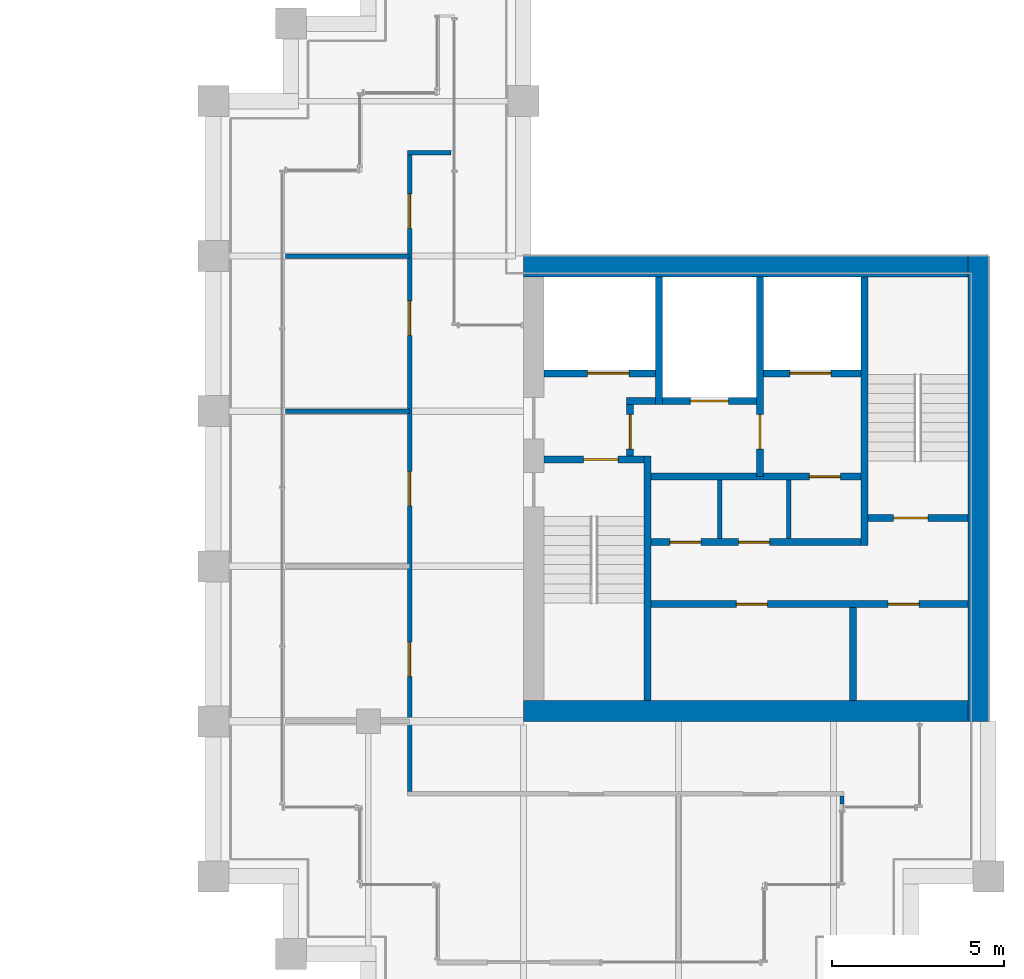
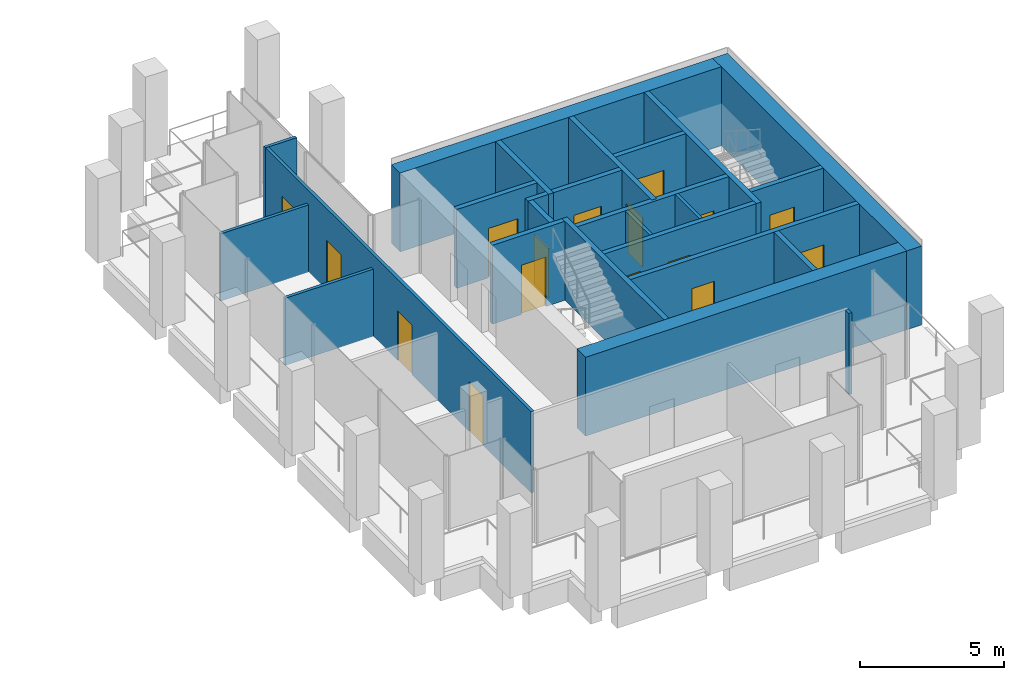
# One storey, part 38 of 40: 25 walls, 16 doors, 16 openings.
"""IFC4 building model written with IfcOpenShell, lengths in metres."""

from ifc_helpers import new_model, si_unit, direction, frame, frame_2d, origin, place, context, subcontext, project, spatial, rectangle, extrude, material, layer, layer_set, type_object, element, fill, save


model = new_model("IFC4")

# Units and contexts
model_context = context("Model", 3, precision=1e-05, world=origin(), true_north=direction((0.0, 1.0)))
body_context = subcontext(model_context, "Body", "Model", "MODEL_VIEW")
ifc_project = project(units=[si_unit("LENGTHUNIT", "METRE"), si_unit("AREAUNIT", "SQUARE_METRE"), si_unit("VOLUMEUNIT", "CUBIC_METRE"), si_unit("PLANEANGLEUNIT", "RADIAN"), si_unit("MASSUNIT", "GRAM", prefix="KILO")], contexts=[model_context])

# Site, building, storey
site_placement = place(None, origin())
site = spatial("IfcSite", under=ifc_project, at=site_placement, CompositionType="ELEMENT")
building_placement = place(site_placement, origin())
building = spatial("IfcBuilding", under=site, at=building_placement, Name="Altepetl Exchange Towers", CompositionType="ELEMENT")
storey_placement = place(building_placement, frame((0.0, 0.0, 183.39990234375)))
storey = spatial("IfcBuildingStorey", under=building, at=storey_placement, Name="L46", CompositionType="ELEMENT", Elevation=183.39990234375)

# Walls
ifc_material_1 = material(Name="Concrete C70/85", Category="concrete")
ifc_layer_1 = layer(ifc_material_1, 0.60009765625)
ifc_layer_set_1 = layer_set([ifc_layer_1], Name="Concrete C70/85")
wall_type_1 = type_object("IfcWallType", Name="Core wall 600 reinforced concrete", PredefinedType="SHEAR", material=ifc_layer_set_1)
wall_1_placement = place(storey_placement, frame((103.5, 36.300048828125, 0.0)))
element("IfcWall", 1, at=wall_1_placement, inside=storey, type_object=wall_type_1, Name="wall:B:L46:K-coreS", PredefinedType="SHEAR", context=body_context, shape_type="SweptSolid", body=[
    extrude(rectangle(XDim=12.89990234375, YDim=0.60009765625, at=frame_2d((6.449951171875, 0.0))), origin(), (0.0, 0.0, 1.0), 3.35009765625),
])
ifc_layer_2 = layer(ifc_material_1, 0.60009765625)
ifc_layer_set_2 = layer_set([ifc_layer_2], Name="Concrete C70/85")
wall_type_2 = type_object("IfcWallType", Name="Core wall 600 reinforced concrete external", PredefinedType="SHEAR", material=ifc_layer_set_2)
wall_2_placement = place(storey_placement, frame((116.699951171875, 36.0, 0.0), z_axis=(0.0, 0.0, 1.0), x_axis=(0.0, 1.0, 0.0)))
element("IfcWall", 2, at=wall_2_placement, inside=storey, type_object=wall_type_2, Name="wall:B:L46:K-coreE", PredefinedType="SHEAR", context=body_context, shape_type="SweptSolid", body=[
    extrude(rectangle(XDim=13.5, YDim=0.60009765625, at=frame_2d((6.75, 0.0))), origin(), (0.0, 0.0, 1.0), 3.35009765625),
])
wall_3_placement = place(storey_placement, frame((103.5, 49.199951171875, 0.0)))
element("IfcWall", 3, at=wall_3_placement, inside=storey, type_object=wall_type_2, Name="wall:B:L46:K-coreN", PredefinedType="SHEAR", context=body_context, shape_type="SweptSolid", body=[
    extrude(rectangle(XDim=12.89990234375, YDim=0.60009765625, at=frame_2d((6.449951171875, 0.0))), origin(), (0.0, 0.0, 1.0), 3.35009765625),
])
ifc_material_2 = material(Name="Concrete blockwork", Category="masonry")
ifc_layer_3 = layer(ifc_material_2, 0.199951171875)
ifc_layer_set_3 = layer_set([ifc_layer_3], Name="Concrete blockwork")
wall_type_3 = type_object("IfcWallType", Name="Lobby wall 200 blockwork", PredefinedType="PARTITIONING", material=ifc_layer_set_3)
wall_4_placement = place(storey_placement, frame((106.5, 45.300048828125, 0.0)))
element("IfcWall", 4, at=wall_4_placement, inside=storey, type_object=wall_type_3, Name="wall:B:L46:K-ffNw", PredefinedType="PARTITIONING", context=body_context, shape_type="SweptSolid", body=[
    extrude(rectangle(XDim=0.833251953125, YDim=0.199951171875, at=frame_2d((0.41650390625, 0.0))), origin(), (0.0, 0.0, 1.0), 3.35009765625),
])

# Wall, opening, door
wall_5_placement = place(storey_placement, frame((106.60009765625, 43.699951171875, 0.0), z_axis=(0.0, 0.0, 1.0), x_axis=(0.0, 1.0, 0.0)))
wall_5 = element("IfcWall", 5, at=wall_5_placement, inside=storey, type_object=wall_type_3, Name="wall:B:L46:K-ffW", PredefinedType="PARTITIONING", context=body_context, shape_type="SweptSolid", body=[
    extrude(rectangle(XDim=1.5, YDim=0.199951171875, at=frame_2d((0.75, 0.0))), origin(), (0.0, 0.0, 1.0), 3.35009765625),
])
opening_1_placement = place(wall_5_placement, frame((0.199951171875, 0.0, 0.0)))
opening_1 = element("IfcOpeningElement", 6, at=opening_1_placement, cuts=wall_5, Name="Opening L46.B65", PredefinedType="OPENING", context=body_context, shape_type="SweptSolid", body=[
    extrude(rectangle(XDim=1.0, YDim=2.10009765625, at=frame_2d((0.5, 1.050048828125))), frame((0.0, 0.10986328125, 0.0), z_axis=(0.0, -1.0, 0.0), x_axis=(1.0, 0.0, 0.0)), (0.0, 0.0, 1.0), 0.219970703125),
])
ifc_material_3 = material(Name="Steel and timber fire door", Category="steel")
door_type_1 = type_object("IfcDoorType", Name="Fire door 1000 x 2100 stair and lobby", OperationType="SINGLE_SWING_LEFT", PredefinedType="DOOR", material=ifc_material_3)
door_1_placement = place(opening_1_placement, frame((1.0, 0.0, 0.0), x_axis=(-1.0, 0.0, 0.0)))
door_1 = element("IfcDoor", 7, at=door_1_placement, inside=storey, type_object=door_type_1, Name="door:B:L46:K-dffW", OperationType="SINGLE_SWING_LEFT", OverallHeight=2.10009765625, OverallWidth=1.0, PredefinedType="DOOR", context=body_context, shape_type="SweptSolid", body=[
    extrude(rectangle(XDim=1.0, YDim=2.10009765625, at=frame_2d((0.5, 1.050048828125))), frame((0.0, 0.02490234375, 0.0), z_axis=(0.0, -1.0, 0.0), x_axis=(1.0, 0.0, 0.0)), (0.0, 0.0, 1.0), 0.050048828125),
])
fill(opening_1, door_1)

wall_6_placement = place(storey_placement, frame((107.199951171875, 43.10009765625, 0.0)))
wall_6 = element("IfcWall", 8, at=wall_6_placement, inside=storey, type_object=wall_type_3, Name="wall:B:L46:K-zoneN", PredefinedType="PARTITIONING", context=body_context, shape_type="SweptSolid", body=[
    extrude(rectangle(XDim=6.10009765625, YDim=0.199951171875, at=frame_2d((3.050048828125, 0.0))), origin(), (0.0, 0.0, 1.0), 3.35009765625),
])
opening_2_placement = place(wall_6_placement, frame((4.60009765625, 0.0, 0.0)))
opening_2 = element("IfcOpeningElement", 9, at=opening_2_placement, cuts=wall_6, Name="Opening L46.B70", PredefinedType="OPENING", context=body_context, shape_type="SweptSolid", body=[
    extrude(rectangle(XDim=0.89990234375, YDim=2.10009765625, at=frame_2d((0.449951171875, 1.050048828125))), frame((0.0, 0.10986328125, 0.0), z_axis=(0.0, -1.0, 0.0), x_axis=(1.0, 0.0, 0.0)), (0.0, 0.0, 1.0), 0.219970703125),
])
door_type_2 = type_object("IfcDoorType", Name="Fire door 900 x 2100 service room", OperationType="SINGLE_SWING_LEFT", PredefinedType="DOOR", material=ifc_material_3)
door_2_placement = place(opening_2_placement, frame((0.89990234375, 0.0, 0.0), x_axis=(-1.0, 0.0, 0.0)))
door_2 = element("IfcDoor", 10, at=door_2_placement, inside=storey, type_object=door_type_2, Name="door:B:L46:K-dz3", OperationType="SINGLE_SWING_LEFT", OverallHeight=2.10009765625, OverallWidth=0.89990234375, PredefinedType="DOOR", context=body_context, shape_type="SweptSolid", body=[
    extrude(rectangle(XDim=0.89990234375, YDim=2.10009765625, at=frame_2d((0.449951171875, 1.050048828125))), frame((0.0, 0.02490234375, 0.0), z_axis=(0.0, -1.0, 0.0), x_axis=(1.0, 0.0, 0.0)), (0.0, 0.0, 1.0), 0.050048828125),
])
fill(opening_2, door_2)

# Wall, openings, doors
wall_7_placement = place(storey_placement, frame((107.199951171875, 41.199951171875, 0.0)))
wall_7 = element("IfcWall", 11, at=wall_7_placement, inside=storey, type_object=wall_type_3, Name="wall:B:L46:K-zoneS", PredefinedType="PARTITIONING", context=body_context, shape_type="SweptSolid", body=[
    extrude(rectangle(XDim=6.10009765625, YDim=0.199951171875, at=frame_2d((3.050048828125, 0.0))), origin(), (0.0, 0.0, 1.0), 3.35009765625),
])
opening_3_placement = place(wall_7_placement, frame((0.550048828125, 0.0, 0.0)))
opening_3 = element("IfcOpeningElement", 12, at=opening_3_placement, cuts=wall_7, Name="Opening L46.B68", PredefinedType="OPENING", context=body_context, shape_type="SweptSolid", body=[
    extrude(rectangle(XDim=0.89990234375, YDim=2.10009765625, at=frame_2d((0.449951171875, 1.050048828125))), frame((0.0, 0.10986328125, 0.0), z_axis=(0.0, -1.0, 0.0), x_axis=(1.0, 0.0, 0.0)), (0.0, 0.0, 1.0), 0.219970703125),
])
opening_4_placement = place(wall_7_placement, frame((2.550048828125, 0.0, 0.0)))
opening_4 = element("IfcOpeningElement", 13, at=opening_4_placement, cuts=wall_7, Name="Opening L46.B69", PredefinedType="OPENING", context=body_context, shape_type="SweptSolid", body=[
    extrude(rectangle(XDim=0.89990234375, YDim=2.10009765625, at=frame_2d((0.449951171875, 1.050048828125))), frame((0.0, 0.10986328125, 0.0), z_axis=(0.0, -1.0, 0.0), x_axis=(1.0, 0.0, 0.0)), (0.0, 0.0, 1.0), 0.219970703125),
])
door_3_placement = place(opening_3_placement, origin())
door_3 = element("IfcDoor", 14, at=door_3_placement, inside=storey, type_object=door_type_2, Name="door:B:L46:K-dz1", OperationType="SINGLE_SWING_RIGHT", OverallHeight=2.10009765625, OverallWidth=0.89990234375, PredefinedType="DOOR", context=body_context, shape_type="SweptSolid", body=[
    extrude(rectangle(XDim=0.89990234375, YDim=2.10009765625, at=frame_2d((0.449951171875, 1.050048828125))), frame((0.0, 0.02490234375, 0.0), z_axis=(0.0, -1.0, 0.0), x_axis=(1.0, 0.0, 0.0)), (0.0, 0.0, 1.0), 0.050048828125),
])
fill(opening_3, door_3)
door_4_placement = place(opening_4_placement, origin())
door_4 = element("IfcDoor", 15, at=door_4_placement, inside=storey, type_object=door_type_2, Name="door:B:L46:K-dz2", OperationType="SINGLE_SWING_LEFT", OverallHeight=2.10009765625, OverallWidth=0.89990234375, PredefinedType="DOOR", context=body_context, shape_type="SweptSolid", body=[
    extrude(rectangle(XDim=0.89990234375, YDim=2.10009765625, at=frame_2d((0.449951171875, 1.050048828125))), frame((0.0, 0.02490234375, 0.0), z_axis=(0.0, -1.0, 0.0), x_axis=(1.0, 0.0, 0.0)), (0.0, 0.0, 1.0), 0.050048828125),
])
fill(opening_4, door_4)

# Walls
ifc_material_4 = material(Name="Gypsum board on steel studs", Category="steel")
ifc_layer_4 = layer(ifc_material_4, 0.125)
ifc_layer_set_4 = layer_set([ifc_layer_4], Name="Gypsum board on steel studs")
wall_type_4 = type_object("IfcWallType", Name="Partition 125 gypsum board on steel studs", PredefinedType="PARTITIONING", material=ifc_layer_set_4)
for number, where, z_axis, x_axis, name in (
    (16, (109.199951171875, 41.300048828125, 0.0), (0.0, 0.0, 1.0), (0.0, 1.0, 0.0), "wall:B:L46:K-zp1"),
    (17, (111.199951171875, 41.300048828125, 0.0), (0.0, 0.0, 1.0), (0.0, 1.0, 0.0), "wall:B:L46:K-zp2"),
):
    element("IfcWall", number, at=place(storey_placement, frame(where, z_axis=z_axis, x_axis=x_axis)), inside=storey, type_object=wall_type_4, Name=name, PredefinedType="PARTITIONING", context=body_context, shape_type="SweptSolid", body=[
        extrude(rectangle(XDim=1.699951171875, YDim=0.125, at=frame_2d((0.85009765625, 0.0))), origin(), (0.0, 0.0, 1.0), 3.35009765625),
    ])
for number, where, name in (
    (18, (96.60009765625, 45.0, 0.0), "wall:B:L46:P05"),
    (19, (96.60009765625, 49.5, 0.0), "wall:B:L46:P06"),
):
    element("IfcWall", number, at=place(storey_placement, frame(where)), inside=storey, type_object=wall_type_4, Name=name, PredefinedType="PARTITIONING", context=body_context, shape_type="SweptSolid", body=[
        extrude(rectangle(XDim=3.599853515625, YDim=0.125, at=frame_2d((1.7998046875, 0.0))), origin(), (0.0, 0.0, 1.0), 2.85107421875),
    ])
wall_8_placement = place(storey_placement, frame((100.137451171875, 52.5, 0.0)))
element("IfcWall", 20, at=wall_8_placement, inside=storey, type_object=wall_type_4, Name="wall:B:L46:P07", PredefinedType="PARTITIONING", context=body_context, shape_type="SweptSolid", body=[
    extrude(rectangle(XDim=1.262451171875, YDim=0.125, at=frame_2d((0.63134765625, 0.0))), origin(), (0.0, 0.0, 1.0), 3.4501953125),
])

# Wall, openings, doors
wall_9_placement = place(storey_placement, frame((100.199951171875, 33.96240234375, 0.0), z_axis=(0.0, 0.0, 1.0), x_axis=(0.0, 1.0, 0.0)))
wall_9 = element("IfcWall", 21, at=wall_9_placement, inside=storey, type_object=wall_type_4, Name="wall:B:L46:P08", PredefinedType="PARTITIONING", context=body_context, shape_type="SweptSolid", body=[
    extrude(rectangle(XDim=18.47509765625, YDim=0.125, at=frame_2d((9.237548828125, 0.0))), origin(), (0.0, 0.0, 1.0), 3.4501953125),
])
opening_5_placement = place(wall_9_placement, frame((8.28759765625, 0.0, 0.0)))
opening_5 = element("IfcOpeningElement", 22, at=opening_5_placement, cuts=wall_9, Name="Opening L46.B01", PredefinedType="OPENING", context=body_context, shape_type="SweptSolid", body=[
    extrude(rectangle(XDim=1.0, YDim=2.10009765625, at=frame_2d((0.5, 1.050048828125))), frame((0.0, 0.072509765625, 0.0), z_axis=(0.0, -1.0, 0.0), x_axis=(1.0, 0.0, 0.0)), (0.0, 0.0, 1.0), 0.14501953125),
])
opening_6_placement = place(wall_9_placement, frame((3.33251953125, 0.0, 0.0)))
opening_6 = element("IfcOpeningElement", 23, at=opening_6_placement, cuts=wall_9, Name="Opening L46.B02", PredefinedType="OPENING", context=body_context, shape_type="SweptSolid", body=[
    extrude(rectangle(XDim=1.0, YDim=2.10009765625, at=frame_2d((0.5, 1.050048828125))), frame((0.0, 0.072509765625, 0.0), z_axis=(0.0, -1.0, 0.0), x_axis=(1.0, 0.0, 0.0)), (0.0, 0.0, 1.0), 0.14501953125),
])
opening_7_placement = place(wall_9_placement, frame((16.344482421875, 0.0, 0.0)))
opening_7 = element("IfcOpeningElement", 24, at=opening_7_placement, cuts=wall_9, Name="Opening L46.B05", PredefinedType="OPENING", context=body_context, shape_type="SweptSolid", body=[
    extrude(rectangle(XDim=1.0, YDim=2.10009765625, at=frame_2d((0.5, 1.050048828125))), frame((0.0, 0.072509765625, 0.0), z_axis=(0.0, -1.0, 0.0), x_axis=(1.0, 0.0, 0.0)), (0.0, 0.0, 1.0), 0.14501953125),
])
opening_8_placement = place(wall_9_placement, frame((13.242431640625, 0.0, 0.0)))
opening_8 = element("IfcOpeningElement", 25, at=opening_8_placement, cuts=wall_9, Name="Opening L46.B06", PredefinedType="OPENING", context=body_context, shape_type="SweptSolid", body=[
    extrude(rectangle(XDim=1.0, YDim=2.10009765625, at=frame_2d((0.5, 1.050048828125))), frame((0.0, 0.072509765625, 0.0), z_axis=(0.0, -1.0, 0.0), x_axis=(1.0, 0.0, 0.0)), (0.0, 0.0, 1.0), 0.14501953125),
])
door_type_3 = type_object("IfcDoorType", Name="Fire door 1000 x 2100 single leaf", OperationType="SINGLE_SWING_LEFT", PredefinedType="DOOR", material=ifc_material_3)
door_5_placement = place(opening_5_placement, origin())
door_5 = element("IfcDoor", 26, at=door_5_placement, inside=storey, type_object=door_type_3, Name="door:B:L46:01", OperationType="SINGLE_SWING_RIGHT", OverallHeight=2.10009765625, OverallWidth=1.0, PredefinedType="DOOR", context=body_context, shape_type="SweptSolid", body=[
    extrude(rectangle(XDim=1.0, YDim=2.10009765625, at=frame_2d((0.5, 1.050048828125))), frame((0.0, 0.02490234375, 0.0), z_axis=(0.0, -1.0, 0.0), x_axis=(1.0, 0.0, 0.0)), (0.0, 0.0, 1.0), 0.050048828125),
])
fill(opening_5, door_5)
door_6_placement = place(opening_6_placement, origin())
door_6 = element("IfcDoor", 27, at=door_6_placement, inside=storey, type_object=door_type_3, Name="door:B:L46:02", OperationType="SINGLE_SWING_LEFT", OverallHeight=2.10009765625, OverallWidth=1.0, PredefinedType="DOOR", context=body_context, shape_type="SweptSolid", body=[
    extrude(rectangle(XDim=1.0, YDim=2.10009765625, at=frame_2d((0.5, 1.050048828125))), frame((0.0, 0.02490234375, 0.0), z_axis=(0.0, -1.0, 0.0), x_axis=(1.0, 0.0, 0.0)), (0.0, 0.0, 1.0), 0.050048828125),
])
fill(opening_6, door_6)
door_7_placement = place(opening_7_placement, origin())
door_7 = element("IfcDoor", 28, at=door_7_placement, inside=storey, type_object=door_type_3, Name="door:B:L46:05", OperationType="SINGLE_SWING_RIGHT", OverallHeight=2.10009765625, OverallWidth=1.0, PredefinedType="DOOR", context=body_context, shape_type="SweptSolid", body=[
    extrude(rectangle(XDim=1.0, YDim=2.10009765625, at=frame_2d((0.5, 1.050048828125))), frame((0.0, 0.02490234375, 0.0), z_axis=(0.0, -1.0, 0.0), x_axis=(1.0, 0.0, 0.0)), (0.0, 0.0, 1.0), 0.050048828125),
])
fill(opening_7, door_7)
door_8_placement = place(opening_8_placement, origin())
door_8 = element("IfcDoor", 29, at=door_8_placement, inside=storey, type_object=door_type_3, Name="door:B:L46:06", OperationType="SINGLE_SWING_LEFT", OverallHeight=2.10009765625, OverallWidth=1.0, PredefinedType="DOOR", context=body_context, shape_type="SweptSolid", body=[
    extrude(rectangle(XDim=1.0, YDim=2.10009765625, at=frame_2d((0.5, 1.050048828125))), frame((0.0, 0.02490234375, 0.0), z_axis=(0.0, -1.0, 0.0), x_axis=(1.0, 0.0, 0.0)), (0.0, 0.0, 1.0), 0.050048828125),
])
fill(opening_8, door_8)

# Walls
wall_10_placement = place(storey_placement, frame((112.75, 33.60009765625, 0.0), z_axis=(0.0, 0.0, 1.0), x_axis=(0.0, 1.0, 0.0)))
element("IfcWall", 30, at=wall_10_placement, inside=storey, type_object=wall_type_4, Name="wall:B:L46:P10", PredefinedType="PARTITIONING", context=body_context, shape_type="SweptSolid", body=[
    extrude(rectangle(XDim=0.2373046875, YDim=0.125, at=frame_2d((0.11865234375, 0.0))), origin(), (0.0, 0.0, 1.0), 3.4501953125),
])
ifc_material_5 = material(Name="Concrete C40/50", Category="concrete")
ifc_layer_5 = layer(ifc_material_5, 0.199951171875)
ifc_layer_set_5 = layer_set([ifc_layer_5], Name="Concrete C40/50")
wall_type_5 = type_object("IfcWallType", Name="Shaft wall 200 reinforced concrete", PredefinedType="SHEAR", material=ifc_layer_set_5)
wall_11_placement = place(storey_placement, frame((107.433349609375, 48.89990234375, 0.0), z_axis=(0.0, 0.0, 1.0), x_axis=(0.0, -1.0, 0.0)))
element("IfcWall", 31, at=wall_11_placement, inside=storey, type_object=wall_type_5, Name="wall:B:L46:K-divN1", PredefinedType="SHEAR", context=body_context, shape_type="SweptSolid", body=[
    extrude(rectangle(XDim=3.699951171875, YDim=0.199951171875, at=frame_2d((1.85009765625, 0.0))), origin(), (0.0, 0.0, 1.0), 3.35009765625),
])

# Wall, opening, door
wall_12_placement = place(storey_placement, frame((110.36669921875, 48.89990234375, 0.0), z_axis=(0.0, 0.0, 1.0), x_axis=(0.0, -1.0, 0.0)))
wall_12 = element("IfcWall", 32, at=wall_12_placement, inside=storey, type_object=wall_type_5, Name="wall:B:L46:K-divN2", PredefinedType="SHEAR", context=body_context, shape_type="SweptSolid", body=[
    extrude(rectangle(XDim=5.7998046875, YDim=0.199951171875, at=frame_2d((2.89990234375, 0.0))), origin(), (0.0, 0.0, 1.0), 3.35009765625),
])
opening_9_placement = place(wall_12_placement, frame((4.0, 0.0, 0.0)))
opening_9 = element("IfcOpeningElement", 33, at=opening_9_placement, cuts=wall_12, Name="Opening L46.B64", PredefinedType="OPENING", context=body_context, shape_type="SweptSolid", body=[
    extrude(rectangle(XDim=1.0, YDim=2.10009765625, at=frame_2d((0.5, 1.050048828125))), frame((0.0, 0.10986328125, 0.0), z_axis=(0.0, -1.0, 0.0), x_axis=(1.0, 0.0, 0.0)), (0.0, 0.0, 1.0), 0.219970703125),
])
door_9_placement = place(opening_9_placement, frame((1.0, 0.0, 0.0), x_axis=(-1.0, 0.0, 0.0)))
door_9 = element("IfcDoor", 34, at=door_9_placement, inside=storey, type_object=door_type_1, Name="door:B:L46:K-dffE", OperationType="SINGLE_SWING_RIGHT", OverallHeight=2.10009765625, OverallWidth=1.0, PredefinedType="DOOR", context=body_context, shape_type="SweptSolid", body=[
    extrude(rectangle(XDim=1.0, YDim=2.10009765625, at=frame_2d((0.5, 1.050048828125))), frame((0.0, 0.02490234375, 0.0), z_axis=(0.0, -1.0, 0.0), x_axis=(1.0, 0.0, 0.0)), (0.0, 0.0, 1.0), 0.050048828125),
])
fill(opening_9, door_9)

wall_13_placement = place(storey_placement, frame((104.10009765625, 46.10009765625, 0.0)))
wall_13 = element("IfcWall", 35, at=wall_13_placement, inside=storey, type_object=wall_type_5, Name="wall:B:L46:K-frontNa", PredefinedType="SHEAR", context=body_context, shape_type="SweptSolid", body=[
    extrude(rectangle(XDim=3.233154296875, YDim=0.199951171875, at=frame_2d((1.61669921875, 0.0))), origin(), (0.0, 0.0, 1.0), 3.35009765625),
])
opening_10_placement = place(wall_13_placement, frame((1.2666015625, 0.0, 0.0)))
opening_10 = element("IfcOpeningElement", 36, at=opening_10_placement, cuts=wall_13, Name="Opening L46.B72", PredefinedType="OPENING", context=body_context, shape_type="SweptSolid", body=[
    extrude(rectangle(XDim=1.199951171875, YDim=2.10009765625, at=frame_2d((0.60009765625, 1.050048828125))), frame((0.0, 0.10986328125, 0.0), z_axis=(0.0, -1.0, 0.0), x_axis=(1.0, 0.0, 0.0)), (0.0, 0.0, 1.0), 0.219970703125),
])
ifc_material_6 = material(Name="Stainless steel", Category="steel")
door_type_4 = type_object("IfcDoorType", Name="Lift landing door 1200 x 2100", OperationType="SLIDING_TO_LEFT", PredefinedType="DOOR", material=ifc_material_6)
door_10_placement = place(opening_10_placement, origin())
door_10 = element("IfcDoor", 37, at=door_10_placement, inside=storey, type_object=door_type_4, Name="Landing door P4", OperationType="SLIDING_TO_LEFT", OverallHeight=2.10009765625, OverallWidth=1.199951171875, PredefinedType="DOOR", context=body_context, shape_type="SweptSolid", body=[
    extrude(rectangle(XDim=1.199951171875, YDim=2.10009765625, at=frame_2d((0.60009765625, 1.050048828125))), frame((0.0, 0.02490234375, 0.0), z_axis=(0.0, -1.0, 0.0), x_axis=(1.0, 0.0, 0.0)), (0.0, 0.0, 1.0), 0.050048828125),
])
fill(opening_10, door_10)

wall_14_placement = place(storey_placement, frame((110.466796875, 46.10009765625, 0.0)))
wall_14 = element("IfcWall", 38, at=wall_14_placement, inside=storey, type_object=wall_type_5, Name="wall:B:L46:K-frontNb", PredefinedType="SHEAR", context=body_context, shape_type="SweptSolid", body=[
    extrude(rectangle(XDim=2.833251953125, YDim=0.199951171875, at=frame_2d((1.41650390625, 0.0))), origin(), (0.0, 0.0, 1.0), 3.35009765625),
])
opening_11_placement = place(wall_14_placement, frame((0.7666015625, 0.0, 0.0)))
opening_11 = element("IfcOpeningElement", 39, at=opening_11_placement, cuts=wall_14, Name="Opening L46.B73", PredefinedType="OPENING", context=body_context, shape_type="SweptSolid", body=[
    extrude(rectangle(XDim=1.199951171875, YDim=2.10009765625, at=frame_2d((0.60009765625, 1.050048828125))), frame((0.0, 0.10986328125, 0.0), z_axis=(0.0, -1.0, 0.0), x_axis=(1.0, 0.0, 0.0)), (0.0, 0.0, 1.0), 0.219970703125),
])
door_11_placement = place(opening_11_placement, origin())
door_11 = element("IfcDoor", 40, at=door_11_placement, inside=storey, type_object=door_type_4, Name="Landing door P5", OperationType="SLIDING_TO_LEFT", OverallHeight=2.10009765625, OverallWidth=1.199951171875, PredefinedType="DOOR", context=body_context, shape_type="SweptSolid", body=[
    extrude(rectangle(XDim=1.199951171875, YDim=2.10009765625, at=frame_2d((0.60009765625, 1.050048828125))), frame((0.0, 0.02490234375, 0.0), z_axis=(0.0, -1.0, 0.0), x_axis=(1.0, 0.0, 0.0)), (0.0, 0.0, 1.0), 0.050048828125),
])
fill(opening_11, door_11)

wall_15_placement = place(storey_placement, frame((107.533203125, 45.300048828125, 0.0)))
wall_15 = element("IfcWall", 41, at=wall_15_placement, inside=storey, type_object=wall_type_5, Name="wall:B:L46:K-frontNd", PredefinedType="SHEAR", context=body_context, shape_type="SweptSolid", body=[
    extrude(rectangle(XDim=2.7333984375, YDim=0.199951171875, at=frame_2d((1.36669921875, 0.0))), origin(), (0.0, 0.0, 1.0), 3.35009765625),
])
opening_12_placement = place(wall_15_placement, frame((0.816650390625, 0.0, 0.0)))
opening_12 = element("IfcOpeningElement", 42, at=opening_12_placement, cuts=wall_15, Name="Opening L46.B71", PredefinedType="OPENING", context=body_context, shape_type="SweptSolid", body=[
    extrude(rectangle(XDim=1.10009765625, YDim=2.10009765625, at=frame_2d((0.550048828125, 1.050048828125))), frame((0.0, 0.10986328125, 0.0), z_axis=(0.0, -1.0, 0.0), x_axis=(1.0, 0.0, 0.0)), (0.0, 0.0, 1.0), 0.219970703125),
])
door_type_5 = type_object("IfcDoorType", Name="Lift landing door 1100 x 2100", OperationType="SLIDING_TO_LEFT", PredefinedType="DOOR", material=ifc_material_6)
door_12_placement = place(opening_12_placement, origin())
door_12 = element("IfcDoor", 43, at=door_12_placement, inside=storey, type_object=door_type_5, Name="Landing door FFL1", OperationType="SLIDING_TO_LEFT", OverallHeight=2.10009765625, OverallWidth=1.10009765625, PredefinedType="DOOR", context=body_context, shape_type="SweptSolid", body=[
    extrude(rectangle(XDim=1.10009765625, YDim=2.10009765625, at=frame_2d((0.550048828125, 1.050048828125))), frame((0.0, 0.02490234375, 0.0), z_axis=(0.0, -1.0, 0.0), x_axis=(1.0, 0.0, 0.0)), (0.0, 0.0, 1.0), 0.050048828125),
])
fill(opening_12, door_12)

# Wall, openings, doors
wall_16_placement = place(storey_placement, frame((107.199951171875, 39.39990234375, 0.0)))
wall_16 = element("IfcWall", 44, at=wall_16_placement, inside=storey, type_object=wall_type_5, Name="wall:B:L46:K-frontS", PredefinedType="SHEAR", context=body_context, shape_type="SweptSolid", body=[
    extrude(rectangle(XDim=9.199951171875, YDim=0.199951171875, at=frame_2d((4.60009765625, 0.0))), origin(), (0.0, 0.0, 1.0), 3.35009765625),
])
opening_13_placement = place(wall_16_placement, frame((2.4833984375, 0.0, 0.0)))
opening_13 = element("IfcOpeningElement", 45, at=opening_13_placement, cuts=wall_16, Name="Opening L46.B66", PredefinedType="OPENING", context=body_context, shape_type="SweptSolid", body=[
    extrude(rectangle(XDim=0.89990234375, YDim=2.10009765625, at=frame_2d((0.449951171875, 1.050048828125))), frame((0.0, 0.10986328125, 0.0), z_axis=(0.0, -1.0, 0.0), x_axis=(1.0, 0.0, 0.0)), (0.0, 0.0, 1.0), 0.219970703125),
])
opening_14_placement = place(wall_16_placement, frame((6.88330078125, 0.0, 0.0)))
opening_14 = element("IfcOpeningElement", 46, at=opening_14_placement, cuts=wall_16, Name="Opening L46.B67", PredefinedType="OPENING", context=body_context, shape_type="SweptSolid", body=[
    extrude(rectangle(XDim=0.89990234375, YDim=2.10009765625, at=frame_2d((0.449951171875, 1.050048828125))), frame((0.0, 0.10986328125, 0.0), z_axis=(0.0, -1.0, 0.0), x_axis=(1.0, 0.0, 0.0)), (0.0, 0.0, 1.0), 0.219970703125),
])
door_13_placement = place(opening_13_placement, frame((0.89990234375, 0.0, 0.0), x_axis=(-1.0, 0.0, 0.0)))
door_13 = element("IfcDoor", 47, at=door_13_placement, inside=storey, type_object=door_type_2, Name="door:B:L46:K-dslotS0", OperationType="SINGLE_SWING_LEFT", OverallHeight=2.10009765625, OverallWidth=0.89990234375, PredefinedType="DOOR", context=body_context, shape_type="SweptSolid", body=[
    extrude(rectangle(XDim=0.89990234375, YDim=2.10009765625, at=frame_2d((0.449951171875, 1.050048828125))), frame((0.0, 0.02490234375, 0.0), z_axis=(0.0, -1.0, 0.0), x_axis=(1.0, 0.0, 0.0)), (0.0, 0.0, 1.0), 0.050048828125),
])
fill(opening_13, door_13)
door_14_placement = place(opening_14_placement, frame((0.89990234375, 0.0, 0.0), x_axis=(-1.0, 0.0, 0.0)))
door_14 = element("IfcDoor", 48, at=door_14_placement, inside=storey, type_object=door_type_2, Name="door:B:L46:K-dslotS2", OperationType="SINGLE_SWING_LEFT", OverallHeight=2.10009765625, OverallWidth=0.89990234375, PredefinedType="DOOR", context=body_context, shape_type="SweptSolid", body=[
    extrude(rectangle(XDim=0.89990234375, YDim=2.10009765625, at=frame_2d((0.449951171875, 1.050048828125))), frame((0.0, 0.02490234375, 0.0), z_axis=(0.0, -1.0, 0.0), x_axis=(1.0, 0.0, 0.0)), (0.0, 0.0, 1.0), 0.050048828125),
])
fill(opening_14, door_14)

# Walls
ifc_layer_6 = layer(ifc_material_1, 0.199951171875)
ifc_layer_set_6 = layer_set([ifc_layer_6], Name="Concrete C70/85")
wall_type_6 = type_object("IfcWallType", Name="Shear wall 200 reinforced concrete", PredefinedType="SHEAR", material=ifc_layer_set_6)
wall_17_placement = place(storey_placement, frame((113.066650390625, 36.60009765625, 0.0), z_axis=(0.0, 0.0, 1.0), x_axis=(0.0, 1.0, 0.0)))
element("IfcWall", 49, at=wall_17_placement, inside=storey, type_object=wall_type_6, Name="wall:B:L46:K-divS2", PredefinedType="SHEAR", context=body_context, shape_type="SweptSolid", body=[
    extrude(rectangle(XDim=2.699951171875, YDim=0.199951171875, at=frame_2d((1.35009765625, 0.0))), origin(), (0.0, 0.0, 1.0), 3.35009765625),
])
ifc_layer_7 = layer(ifc_material_5, 0.199951171875)
ifc_layer_set_7 = layer_set([ifc_layer_7], Name="Concrete C40/50")
wall_type_7 = type_object("IfcWallType", Name="Stair wall 200 reinforced concrete", PredefinedType="SHEAR", material=ifc_layer_set_7)
wall_18_placement = place(storey_placement, frame((107.10009765625, 36.60009765625, 0.0), z_axis=(0.0, 0.0, 1.0), x_axis=(0.0, 1.0, 0.0)))
element("IfcWall", 50, at=wall_18_placement, inside=storey, type_object=wall_type_7, Name="wall:B:L46:K-stS1E", PredefinedType="SHEAR", context=body_context, shape_type="SweptSolid", body=[
    extrude(rectangle(XDim=7.099853515625, YDim=0.199951171875, at=frame_2d((3.5498046875, 0.0))), origin(), (0.0, 0.0, 1.0), 3.35009765625),
])

# Wall, opening, door
wall_19_placement = place(storey_placement, frame((104.10009765625, 43.60009765625, 0.0)))
wall_19 = element("IfcWall", 51, at=wall_19_placement, inside=storey, type_object=wall_type_7, Name="wall:B:L46:K-stS1N", PredefinedType="SHEAR", context=body_context, shape_type="SweptSolid", body=[
    extrude(rectangle(XDim=2.89990234375, YDim=0.199951171875, at=frame_2d((1.449951171875, 0.0))), origin(), (0.0, 0.0, 1.0), 3.35009765625),
])
opening_15_placement = place(wall_19_placement, frame((1.14990234375, 0.0, 0.0)))
opening_15 = element("IfcOpeningElement", 52, at=opening_15_placement, cuts=wall_19, Name="Opening L46.B61", PredefinedType="OPENING", context=body_context, shape_type="SweptSolid", body=[
    extrude(rectangle(XDim=1.0, YDim=2.10009765625, at=frame_2d((0.5, 1.050048828125))), frame((0.0, 0.10986328125, 0.0), z_axis=(0.0, -1.0, 0.0), x_axis=(1.0, 0.0, 0.0)), (0.0, 0.0, 1.0), 0.219970703125),
])
door_15_placement = place(opening_15_placement, frame((1.0, 0.0, 0.0), x_axis=(-1.0, 0.0, 0.0)))
door_15 = element("IfcDoor", 53, at=door_15_placement, inside=storey, type_object=door_type_1, Name="door:B:L46:K-dS1in", OperationType="SINGLE_SWING_LEFT", OverallHeight=2.10009765625, OverallWidth=1.0, PredefinedType="DOOR", context=body_context, shape_type="SweptSolid", body=[
    extrude(rectangle(XDim=1.0, YDim=2.10009765625, at=frame_2d((0.5, 1.050048828125))), frame((0.0, 0.02490234375, 0.0), z_axis=(0.0, -1.0, 0.0), x_axis=(1.0, 0.0, 0.0)), (0.0, 0.0, 1.0), 0.050048828125),
])
fill(opening_15, door_15)

wall_20_placement = place(storey_placement, frame((113.5, 41.89990234375, 0.0)))
wall_20 = element("IfcWall", 54, at=wall_20_placement, inside=storey, type_object=wall_type_7, Name="wall:B:L46:K-stS2S", PredefinedType="SHEAR", context=body_context, shape_type="SweptSolid", body=[
    extrude(rectangle(XDim=2.89990234375, YDim=0.199951171875, at=frame_2d((1.449951171875, 0.0))), origin(), (0.0, 0.0, 1.0), 3.35009765625),
])
opening_16_placement = place(wall_20_placement, frame((0.75, 0.0, 0.0)))
opening_16 = element("IfcOpeningElement", 55, at=opening_16_placement, cuts=wall_20, Name="Opening L46.B63", PredefinedType="OPENING", context=body_context, shape_type="SweptSolid", body=[
    extrude(rectangle(XDim=1.0, YDim=2.10009765625, at=frame_2d((0.5, 1.050048828125))), frame((0.0, 0.10986328125, 0.0), z_axis=(0.0, -1.0, 0.0), x_axis=(1.0, 0.0, 0.0)), (0.0, 0.0, 1.0), 0.219970703125),
])
door_16_placement = place(opening_16_placement, origin())
door_16 = element("IfcDoor", 56, at=door_16_placement, inside=storey, type_object=door_type_1, Name="door:B:L46:K-dS2in", OperationType="SINGLE_SWING_RIGHT", OverallHeight=2.10009765625, OverallWidth=1.0, PredefinedType="DOOR", context=body_context, shape_type="SweptSolid", body=[
    extrude(rectangle(XDim=1.0, YDim=2.10009765625, at=frame_2d((0.5, 1.050048828125))), frame((0.0, 0.02490234375, 0.0), z_axis=(0.0, -1.0, 0.0), x_axis=(1.0, 0.0, 0.0)), (0.0, 0.0, 1.0), 0.050048828125),
])
fill(opening_16, door_16)

# Wall
wall_21_placement = place(storey_placement, frame((113.39990234375, 41.10009765625, 0.0), z_axis=(0.0, 0.0, 1.0), x_axis=(0.0, 1.0, 0.0)))
element("IfcWall", 57, at=wall_21_placement, inside=storey, type_object=wall_type_7, Name="wall:B:L46:K-stS2W", PredefinedType="SHEAR", context=body_context, shape_type="SweptSolid", body=[
    extrude(rectangle(XDim=7.7998046875, YDim=0.199951171875, at=frame_2d((3.89990234375, 0.0))), origin(), (0.0, 0.0, 1.0), 3.35009765625),
])

save(model, "model.ifc")
